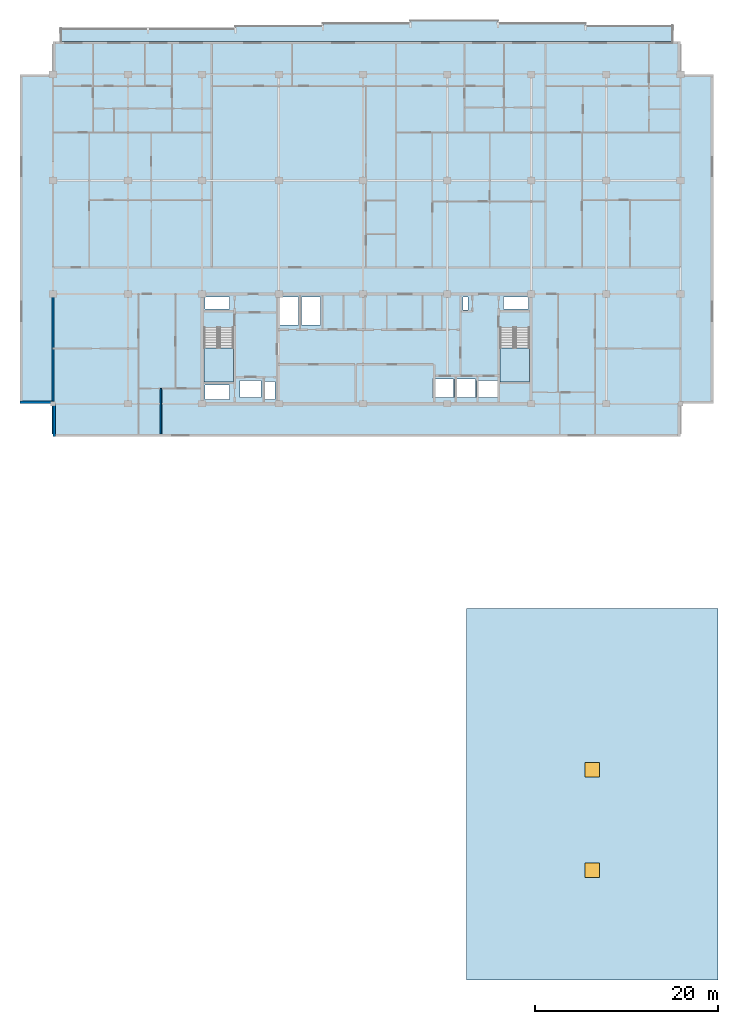
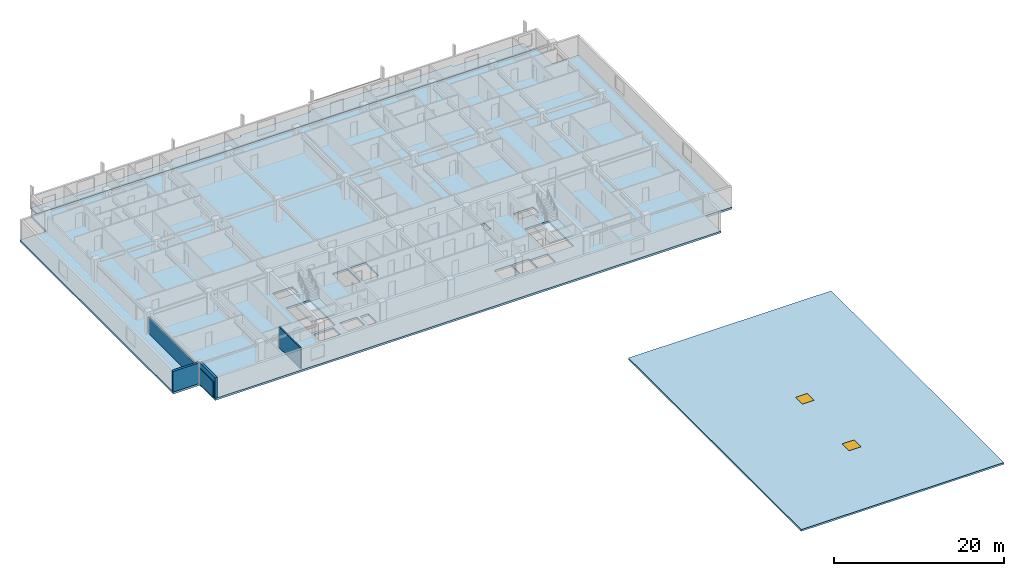
# One storey, part 2 of 11: 5 slabs, 4 walls, 2 windows, 2 openings, 2 elements without a shape of their own.
"""IFC4 building model written with IfcOpenShell, lengths in metres."""

from ifc_helpers import new_model, si_unit, direction, frame, frame_2d, origin, origin_2d, place, context, subcontext, project, spatial, polyline, rectangle, outline, extrude, material, layer, layer_set, type_object, element, fill, aggregate, save


model = new_model("IFC4")

# Units and contexts
model_context = context("Model", 3, precision=1e-05, world=origin(), true_north=direction((0.0, 1.0)))
body_context = subcontext(model_context, "Body", "Model", "MODEL_VIEW")
ifc_project = project(units=[si_unit("LENGTHUNIT", "METRE"), si_unit("AREAUNIT", "SQUARE_METRE"), si_unit("VOLUMEUNIT", "CUBIC_METRE"), si_unit("PLANEANGLEUNIT", "RADIAN"), si_unit("MASSUNIT", "GRAM", prefix="KILO")], contexts=[model_context])

# Site, building, storey
site_placement = place(None, origin())
site = spatial("IfcSite", under=ifc_project, at=site_placement, CompositionType="ELEMENT")
building_placement = place(site_placement, origin())
building = spatial("IfcBuilding", under=site, at=building_placement, Name="Korimba Cascade Residences", CompositionType="ELEMENT")
storey_placement = place(building_placement, frame((0.0, 0.0, 220.60009765625)))
storey = spatial("IfcBuildingStorey", under=building, at=storey_placement, Name="L64", CompositionType="ELEMENT", Elevation=220.60009765625)

# Stair, slab
ifc_material_1 = material(Name="Concrete C50/60", Category="concrete")
stair_type_1 = type_object("IfcStairType", Name="STR-W1-18R-1806", PredefinedType="HALF_TURN_STAIR", material=ifc_material_1)
stair_1_placement = place(storey_placement, origin())
stair_1 = element("IfcStair", 1, at=stair_1_placement, inside=storey, type_object=stair_type_1, Name="L64 Tower 1 West Fire Stair ST-W1", PredefinedType="HALF_TURN_STAIR")
ifc_layer_1 = layer(ifc_material_1, 0.199951171875)
ifc_layer_set_1 = layer_set([ifc_layer_1], Name="Concrete C50/60")
slab_type_1 = type_object("IfcSlabType", Name="SLB-LND-220", PredefinedType="LANDING", material=ifc_layer_set_1)
slab_1_placement = place(storey_placement, frame((0.0, 0.0, 1.4248046875)))
slab_1 = element("IfcSlab", 2, at=slab_1_placement, type_object=slab_type_1, Name="ST-W1 landing 1", PredefinedType="LANDING", context=body_context, shape_type="SweptSolid", body=[
    extrude(outline(polyline([(76.300048828125, 61.31005859375), (76.300048828125, 57.60009765625), (79.5400390625, 57.60009765625), (79.5400390625, 61.31005859375), (76.300048828125, 61.31005859375)])), origin(), (0.0, 0.0, 1.0), 0.2001953125),
])
aggregate(stair_1, [slab_1])

stair_type_2 = type_object("IfcStairType", Name="STR-W2-18R-1806", PredefinedType="HALF_TURN_STAIR", material=ifc_material_1)
stair_2_placement = place(storey_placement, origin())
stair_2 = element("IfcStair", 3, at=stair_2_placement, inside=storey, type_object=stair_type_2, Name="L64 Tower 1 East Fire Stair ST-W2", PredefinedType="HALF_TURN_STAIR")
slab_2_placement = place(storey_placement, frame((0.0, 0.0, 1.4248046875)))
slab_2 = element("IfcSlab", 4, at=slab_2_placement, type_object=slab_type_1, Name="ST-W2 landing 1", PredefinedType="LANDING", context=body_context, shape_type="SweptSolid", body=[
    extrude(outline(polyline([(108.659912109375, 61.31005859375), (108.659912109375, 57.60009765625), (111.89990234375, 57.60009765625), (111.89990234375, 61.31005859375), (108.659912109375, 61.31005859375)])), origin(), (0.0, 0.0, 1.0), 0.2001953125),
])
aggregate(stair_2, [slab_2])

# Slab
ifc_material_2 = material(Name="Precast concrete C40/50", Category="concrete")
ifc_layer_2 = layer(ifc_material_2, 0.239990234375)
ifc_layer_set_2 = layer_set([ifc_layer_2], Name="Precast concrete C40/50")
slab_type_2 = type_object("IfcSlabType", Name="SLB-LOG-240", PredefinedType="FLOOR", material=ifc_layer_set_2)
slab_3_placement = place(storey_placement, frame((0.0, 0.0, -0.239990234375)))
element("IfcSlab", 5, at=slab_3_placement, inside=storey, type_object=slab_type_2, Name="L64 Tower 1 North Loggia Slab", PredefinedType="FLOOR", context=body_context, shape_type="SweptSolid", body=[
    extrude(outline(polyline([(60.60009765625, 94.800048828125), (127.60009765625, 94.800048828125), (127.60009765625, 96.550048828125), (118.028564453125, 96.550048828125), (118.028564453125, 96.85009765625), (108.45703125, 96.85009765625), (108.45703125, 97.14990234375), (98.8857421875, 97.14990234375), (98.8857421875, 96.85009765625), (89.314208984375, 96.85009765625), (89.314208984375, 96.550048828125), (79.742919921875, 96.550048828125), (79.742919921875, 96.25), (60.60009765625, 96.25), (60.60009765625, 94.800048828125)])), origin(), (0.0, 0.0, 1.0), 0.239990234375),
])

# Slab, openings, windows
ifc_layer_3 = layer(ifc_material_2, 0.25)
ifc_layer_set_3 = layer_set([ifc_layer_3], Name="Precast concrete C40/50")
slab_type_3 = type_object("IfcSlabType", Name="SLB-ROOF-250", PredefinedType="ROOF", material=ifc_layer_set_3)
slab_4_placement = place(storey_placement, frame((0.0, 0.0, 1.14990234375)))
slab_4 = element("IfcSlab", 6, at=slab_4_placement, inside=storey, type_object=slab_type_3, Name="L64 Tower 2 East Crown Crest Roof Slab", PredefinedType="ROOF", context=body_context, shape_type="SweptSolid", body=[
    extrude(outline(polyline([(105.0, -7.800048828125), (132.5, -7.800048828125), (132.5, 32.800048828125), (105.0, 32.800048828125), (105.0, -7.800048828125)])), origin(), (0.0, 0.0, 1.0), 0.25),
])
opening_1_placement = place(slab_4_placement, frame((118.75, 4.199951171875, 0.0)))
opening_1 = element("IfcOpeningElement", 7, at=opening_1_placement, cuts=slab_4, Name="Opening SK-01", PredefinedType="OPENING", context=body_context, shape_type="SweptSolid", body=[
    extrude(rectangle(XDim=1.60009765625, YDim=1.60009765625, at=origin_2d()), frame((0.0, 0.0, -0.010009765625)), (0.0, 0.0, 1.0), 0.27001953125),
])
opening_2_placement = place(slab_4_placement, frame((118.75, 15.199951171875, 0.0)))
opening_2 = element("IfcOpeningElement", 8, at=opening_2_placement, cuts=slab_4, Name="Opening SK-01", PredefinedType="OPENING", context=body_context, shape_type="SweptSolid", body=[
    extrude(rectangle(XDim=1.60009765625, YDim=1.60009765625, at=origin_2d()), frame((0.0, 0.0, -0.010009765625)), (0.0, 0.0, 1.0), 0.27001953125),
])
ifc_material_3 = material(Name="Double-Glazed Aluminium Window", Category="aluminium")
window_type = type_object("IfcWindowType", Name="WIN-SKY-1600", PartitioningType="SINGLE_PANEL", PredefinedType="SKYLIGHT", material=ifc_material_3)
window_1_placement = place(opening_1_placement, frame((0.0, 0.0, 0.199951171875)))
window_1 = element("IfcWindow", 9, at=window_1_placement, inside=storey, type_object=window_type, Name="L64 Crown E Roof Skylight 1", OverallHeight=1.60009765625, OverallWidth=1.60009765625, PartitioningType="SINGLE_PANEL", PredefinedType="SKYLIGHT", context=body_context, shape_type="SweptSolid", body=[
    extrude(rectangle(XDim=1.60009765625, YDim=1.60009765625, at=origin_2d()), origin(), (0.0, 0.0, 1.0), 0.050048828125),
])
fill(opening_1, window_1)
window_2_placement = place(opening_2_placement, frame((0.0, 0.0, 0.199951171875)))
window_2 = element("IfcWindow", 10, at=window_2_placement, inside=storey, type_object=window_type, Name="L64 Crown E Roof Skylight 2", OverallHeight=1.60009765625, OverallWidth=1.60009765625, PartitioningType="SINGLE_PANEL", PredefinedType="SKYLIGHT", context=body_context, shape_type="SweptSolid", body=[
    extrude(rectangle(XDim=1.60009765625, YDim=1.60009765625, at=origin_2d()), origin(), (0.0, 0.0, 1.0), 0.050048828125),
])
fill(opening_2, window_2)

# Slab
ifc_layer_4 = layer(ifc_material_1, 0.280029296875)
ifc_layer_set_4 = layer_set([ifc_layer_4], Name="Concrete C50/60")
slab_type_4 = type_object("IfcSlabType", Name="SLB-TYP-280", PredefinedType="FLOOR", material=ifc_layer_set_4)
slab_5_placement = place(storey_placement, frame((0.0, 0.0, -0.280029296875)))
element("IfcSlab", 11, at=slab_5_placement, inside=storey, type_object=slab_type_4, Name="L64 Tower 1 Floor Slab", PredefinedType="FLOOR", context=body_context, shape_type="SweptSolid", body=[
    extrude(outline(polyline([(59.800048828125, 51.60009765625), (128.39990234375, 51.60009765625), (128.39990234375, 55.199951171875), (132.0, 55.199951171875), (132.0, 91.199951171875), (128.39990234375, 91.199951171875), (128.39990234375, 94.800048828125), (59.800048828125, 94.800048828125), (59.800048828125, 91.199951171875), (56.199951171875, 91.199951171875), (56.199951171875, 55.199951171875), (59.800048828125, 55.199951171875), (59.800048828125, 51.60009765625)]), holes=[polyline([(76.300048828125, 63.514892578125), (76.300048828125, 57.60009765625), (79.5400390625, 57.60009765625), (79.5400390625, 63.514892578125), (76.300048828125, 63.514892578125)]), polyline([(108.659912109375, 63.514892578125), (108.659912109375, 57.60009765625), (111.89990234375, 57.60009765625), (111.89990234375, 63.514892578125), (108.659912109375, 63.514892578125)]), polyline([(80.22998046875, 55.8798828125), (82.570068359375, 55.8798828125), (82.570068359375, 57.719970703125), (80.22998046875, 57.719970703125), (80.22998046875, 55.8798828125)]), polyline([(106.080078125, 55.8798828125), (108.419921875, 55.8798828125), (108.419921875, 57.719970703125), (106.080078125, 57.719970703125), (106.080078125, 55.8798828125)]), polyline([(101.304931640625, 55.8798828125), (103.594970703125, 55.8798828125), (103.594970703125, 57.919921875), (101.304931640625, 57.919921875), (101.304931640625, 55.8798828125)]), polyline([(103.705078125, 55.8798828125), (105.9951171875, 55.8798828125), (105.9951171875, 57.919921875), (103.705078125, 57.919921875), (103.705078125, 55.8798828125)]), polyline([(82.97998046875, 55.679931640625), (84.080078125, 55.679931640625), (84.080078125, 57.6201171875), (82.97998046875, 57.6201171875), (82.97998046875, 55.679931640625)]), polyline([(76.39990234375, 65.56005859375), (79.10009765625, 65.56005859375), (79.10009765625, 66.8798828125), (76.39990234375, 66.8798828125), (76.39990234375, 65.56005859375)]), polyline([(76.39990234375, 55.679931640625), (79.10009765625, 55.679931640625), (79.10009765625, 57.239990234375), (76.39990234375, 57.239990234375), (76.39990234375, 55.679931640625)]), polyline([(84.530029296875, 63.820068359375), (86.6201171875, 63.820068359375), (86.6201171875, 66.8798828125), (84.530029296875, 66.8798828125), (84.530029296875, 63.820068359375)]), polyline([(86.97998046875, 63.820068359375), (89.070068359375, 63.820068359375), (89.070068359375, 66.8798828125), (86.97998046875, 66.8798828125), (86.97998046875, 63.820068359375)]), polyline([(104.6201171875, 65.4599609375), (105.179931640625, 65.4599609375), (105.179931640625, 66.8798828125), (104.6201171875, 66.8798828125), (104.6201171875, 65.4599609375)]), polyline([(109.080078125, 65.56005859375), (111.800048828125, 65.56005859375), (111.800048828125, 66.8798828125), (109.080078125, 66.8798828125), (109.080078125, 65.56005859375)])]), origin(), (0.0, 0.0, 1.0), 0.280029296875),
])

# Walls
ifc_layer_5 = layer(ifc_material_2, 0.300048828125)
ifc_layer_set_5 = layer_set([ifc_layer_5], Name="Precast concrete C40/50")
wall_type_1 = type_object("IfcWallType", Name="EW-STONE-300", PredefinedType="STANDARD", material=ifc_layer_set_5)
wall_1_placement = place(storey_placement, frame((56.199951171875, 55.35009765625, 0.0), z_axis=(0.0, 0.0, 1.0), x_axis=(1.0, 0.0, 0.0)))
element("IfcWall", 12, at=wall_1_placement, inside=storey, type_object=wall_type_1, Name="L64 T1 Perimeter Stone Wall E10", PredefinedType="STANDARD", context=body_context, shape_type="SweptSolid", body=[
    extrude(rectangle(XDim=3.60009765625, YDim=0.300048828125, at=frame_2d((1.800048828125, 0.0))), origin(), (0.0, 0.0, 1.0), 2.969970703125),
])
wall_2_placement = place(storey_placement, frame((59.949951171875, 55.199951171875, 0.0), z_axis=(0.0, 0.0, 1.0), x_axis=(0.0, -1.0, 0.0)))
element("IfcWall", 13, at=wall_2_placement, inside=storey, type_object=wall_type_1, Name="L64 T1 Perimeter Stone Wall E11", PredefinedType="STANDARD", context=body_context, shape_type="SweptSolid", body=[
    extrude(rectangle(XDim=3.599853515625, YDim=0.300048828125, at=frame_2d((1.7998046875, 0.0))), origin(), (0.0, 0.0, 1.0), 2.969970703125),
])
ifc_layer_6 = layer(ifc_material_2, 0.199951171875)
ifc_layer_set_6 = layer_set([ifc_layer_6], Name="Precast concrete C40/50")
wall_type_2 = type_object("IfcWallType", Name="WAL-IT-200", PredefinedType="PARTITIONING", material=ifc_layer_set_6)
wall_3_placement = place(storey_placement, frame((59.800048828125, 51.89990234375, 0.0), z_axis=(0.0, 0.0, 1.0), x_axis=(0.0, 1.0, 0.0)))
element("IfcWall", 14, at=wall_3_placement, inside=storey, type_object=wall_type_2, Name="L64 Partition Wall WAL-L64-T1-FW-WL", PredefinedType="PARTITIONING", context=body_context, shape_type="SweptSolid", body=[
    extrude(rectangle(XDim=15.300048828125, YDim=0.199951171875, at=frame_2d((7.64990234375, 0.0))), origin(), (0.0, 0.0, 1.0), 2.277099609375),
])
ifc_material_4 = material(Name="Insulated Acoustic Stud Partition", Category="gypsum")
ifc_layer_7 = layer(ifc_material_4, 0.14990234375)
ifc_layer_set_7 = layer_set([ifc_layer_7], Name="Insulated Acoustic Stud Partition")
wall_type_3 = type_object("IfcWallType", Name="WAL-PART-150", PredefinedType="PARTITIONING", material=ifc_layer_set_7)
wall_4_placement = place(storey_placement, frame((71.60009765625, 51.89990234375, 0.0), z_axis=(0.0, 0.0, 1.0), x_axis=(0.0, 1.0, 0.0)))
element("IfcWall", 15, at=wall_4_placement, inside=storey, type_object=wall_type_3, Name="L64 Partition Wall WAL-L64-T1-FW-VS", PredefinedType="PARTITIONING", context=body_context, shape_type="SweptSolid", body=[
    extrude(rectangle(XDim=4.97021484375, YDim=0.14990234375, at=frame_2d((2.485107421875, 0.0))), origin(), (0.0, 0.0, 1.0), 2.969970703125),
])

save(model, "model.ifc")
